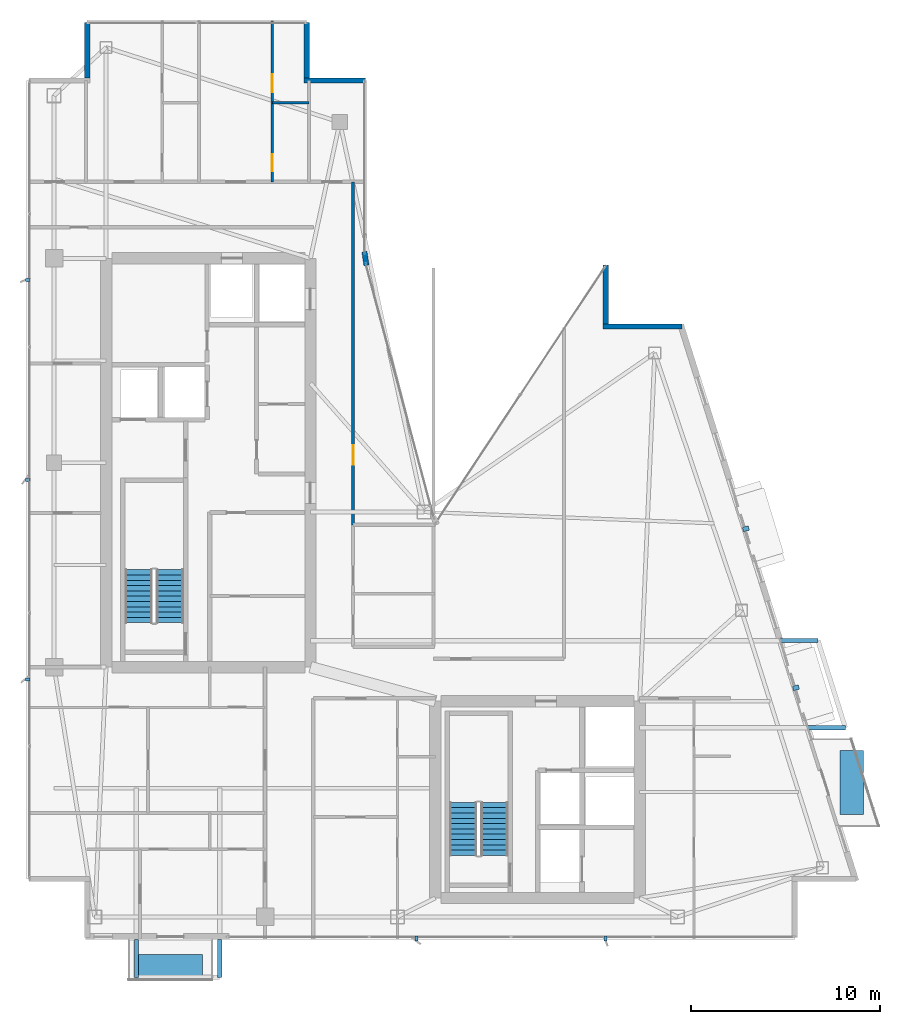
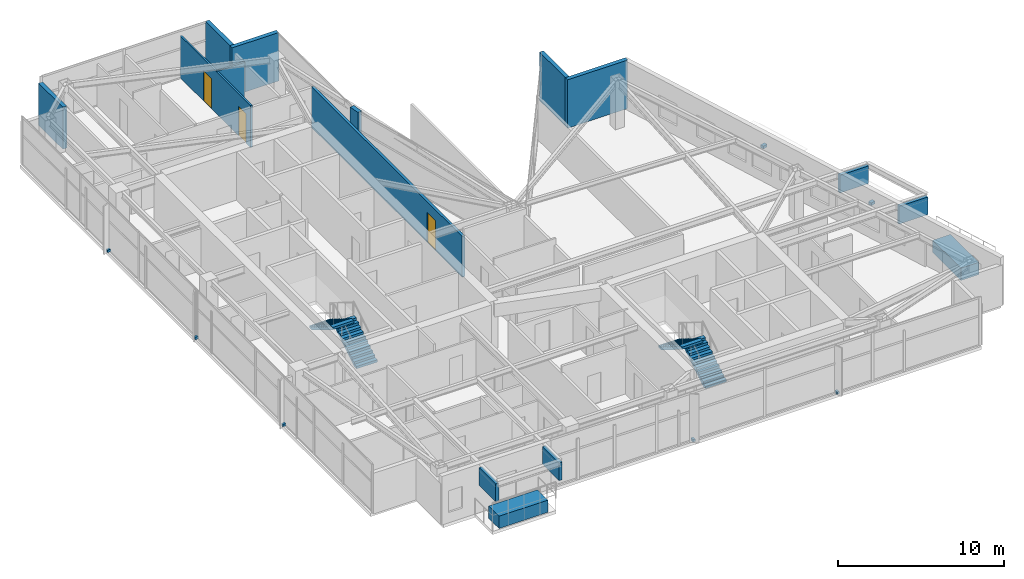
# One storey, part 26 of 28: 13 discrete accessories, 9 walls, 4 stair flights, 3 doors, 3 openings, 2 elements without a shape of their own.
"""IFC4 building model written with IfcOpenShell, lengths in metres."""

from ifc_helpers import new_model, si_unit, direction, frame, frame_2d, origin, origin_2d, place, context, subcontext, project, spatial, polyline, rectangle, outline, extrude, material, layer, layer_set, type_object, element, fill, aggregate, save


model = new_model("IFC4")

# Units and contexts
model_context = context("Model", 3, precision=1e-05, world=origin(), true_north=direction((0.0, 1.0)))
body_context = subcontext(model_context, "Body", "Model", "MODEL_VIEW")
ifc_project = project(units=[si_unit("LENGTHUNIT", "METRE"), si_unit("AREAUNIT", "SQUARE_METRE"), si_unit("VOLUMEUNIT", "CUBIC_METRE"), si_unit("PLANEANGLEUNIT", "RADIAN"), si_unit("MASSUNIT", "GRAM", prefix="KILO")], contexts=[model_context])

# Site, building, storey
site_placement = place(None, origin())
site = spatial("IfcSite", under=ifc_project, at=site_placement, CompositionType="ELEMENT")
building_placement = place(site_placement, origin())
building = spatial("IfcBuilding", under=site, at=building_placement, Name="Calvorn Quay Hotel", CompositionType="ELEMENT")
storey_placement = place(building_placement, frame((0.0, 0.0, 267.300048828125)))
storey = spatial("IfcBuildingStorey", under=building, at=storey_placement, Name="L66", CompositionType="ELEMENT", Elevation=267.300048828125)

# Wall, opening, door
ifc_material_1 = material(Name="Acoustic Fireboard Steel-Stud Partition", Category="steel")
ifc_layer_1 = layer(ifc_material_1, 0.179931640625)
ifc_layer_set_1 = layer_set([ifc_layer_1], Name="WL-CORR-FIRE-180")
wall_type_1 = type_object("IfcWallType", Name="WL-CORR-FIRE-180", PredefinedType="PARTITIONING", material=ifc_layer_set_1)
wall_1_placement = place(storey_placement, frame((17.25, 24.300048828125, 0.0), z_axis=(0.0, 0.0, 1.0), x_axis=(0.0, 1.0, 0.0)))
wall_1 = element("IfcWall", 1, at=wall_1_placement, inside=storey, type_object=wall_type_1, Name="Partition Wall L66-WL-NW-CLOSURE-E", PredefinedType="PARTITIONING", context=body_context, shape_type="SweptSolid", body=[
    extrude(rectangle(XDim=18.14990234375, YDim=0.179931640625, at=frame_2d((9.074951171875, 0.0))), origin(), (0.0, 0.0, 1.0), 2.989990234375),
])
opening_1_placement = place(wall_1_placement, frame((3.199951171875, 0.0, 0.0)))
opening_1 = element("IfcOpeningElement", 2, at=opening_1_placement, cuts=wall_1, Name="Opening D-L66-NCU", PredefinedType="OPENING", context=body_context, shape_type="SweptSolid", body=[
    extrude(rectangle(XDim=1.02001953125, YDim=2.199951171875, at=frame_2d((0.510009765625, 1.10009765625))), frame((0.0, 0.099853515625, 0.0), z_axis=(0.0, -1.0, 0.0), x_axis=(1.0, 0.0, 0.0)), (0.0, 0.0, 1.0), 0.199951171875),
])
ifc_material_2 = material(Name="Solid-Core Walnut Veneer Hotel Fire Door")
door_type_1 = type_object("IfcDoorType", Name="DR-GUEST-ENTRY-1020", OperationType="NOTDEFINED", PredefinedType="DOOR", material=ifc_material_2)
door_1_placement = place(opening_1_placement, origin())
door_1 = element("IfcDoor", 3, at=door_1_placement, inside=storey, type_object=door_type_1, Name="Inner Court Horizon Study Door (L66)", OperationType="SINGLE_SWING_RIGHT", OverallHeight=2.199951171875, OverallWidth=1.02001953125, PredefinedType="DOOR", context=body_context, shape_type="SweptSolid", body=[
    extrude(rectangle(XDim=1.02001953125, YDim=2.199951171875, at=frame_2d((0.510009765625, 1.10009765625))), frame((0.0, 0.02490234375, 0.0), z_axis=(0.0, -1.0, 0.0), x_axis=(1.0, 0.0, 0.0)), (0.0, 0.0, 1.0), 0.050048828125),
])
fill(opening_1, door_1)

# Wall
ifc_material_3 = material(Name="Moisture-Resistant Tile-Backed Partition")
ifc_layer_2 = layer(ifc_material_3, 0.125)
ifc_layer_set_2 = layer_set([ifc_layer_2], Name="WL-ENSUITE-125")
wall_type_2 = type_object("IfcWallType", Name="WL-ENSUITE-125", PredefinedType="PARTITIONING", material=ifc_layer_set_2)
wall_2_placement = place(storey_placement, frame((12.989990234375, 46.6201171875, 0.0), z_axis=(0.0, 0.0, 1.0), x_axis=(1.0, 0.0, 0.0)))
element("IfcWall", 4, at=wall_2_placement, inside=storey, type_object=wall_type_2, Name="Partition Wall L66-WL-U05-BDV", PredefinedType="PARTITIONING", context=body_context, shape_type="SweptSolid", body=[
    extrude(rectangle(XDim=1.929931640625, YDim=0.125, at=frame_2d((0.96484375, 0.0))), origin(), (0.0, 0.0, 1.0), 3.08984375),
])

# Wall, openings, doors
wall_3_placement = place(storey_placement, frame((12.989990234375, 42.449951171875, 0.0), z_axis=(0.0, 0.0, 1.0), x_axis=(0.0, 1.0, 0.0)))
wall_3 = element("IfcWall", 5, at=wall_3_placement, inside=storey, type_object=wall_type_2, Name="Partition Wall L66-WL-U05-BV", PredefinedType="PARTITIONING", context=body_context, shape_type="SweptSolid", body=[
    extrude(rectangle(XDim=8.489990234375, YDim=0.125, at=frame_2d((4.2451171875, 0.0))), origin(), (0.0, 0.0, 1.0), 3.08984375),
])
opening_2_placement = place(wall_3_placement, frame((0.550048828125, 0.0, 0.0)))
opening_2 = element("IfcOpeningElement", 6, at=opening_2_placement, cuts=wall_3, Name="Opening D-L66-E05", PredefinedType="OPENING", context=body_context, shape_type="SweptSolid", body=[
    extrude(rectangle(XDim=0.89990234375, YDim=2.14990234375, at=frame_2d((0.449951171875, 1.074951171875))), frame((0.0, 0.072509765625, 0.0), z_axis=(0.0, -1.0, 0.0), x_axis=(1.0, 0.0, 0.0)), (0.0, 0.0, 1.0), 0.14501953125),
])
opening_3_placement = place(wall_3_placement, frame((4.719970703125, 0.0, 0.0)))
opening_3 = element("IfcOpeningElement", 7, at=opening_3_placement, cuts=wall_3, Name="Opening D-L66-S05", PredefinedType="OPENING", context=body_context, shape_type="SweptSolid", body=[
    extrude(rectangle(XDim=0.9599609375, YDim=2.199951171875, at=frame_2d((0.47998046875, 1.10009765625))), frame((0.0, 0.072509765625, 0.0), z_axis=(0.0, -1.0, 0.0), x_axis=(1.0, 0.0, 0.0)), (0.0, 0.0, 1.0), 0.14501953125),
])
ifc_material_4 = material(Name="Moisture-Sealed Timber En-Suite Door", Category="wood")
door_type_2 = type_object("IfcDoorType", Name="DR-ENSUITE-900", OperationType="NOTDEFINED", PredefinedType="DOOR", material=ifc_material_4)
door_2_placement = place(opening_2_placement, origin())
door_2 = element("IfcDoor", 8, at=door_2_placement, inside=storey, type_object=door_type_2, Name="En-Suite Door 05", OperationType="SINGLE_SWING_LEFT", OverallHeight=2.14990234375, OverallWidth=0.89990234375, PredefinedType="DOOR", context=body_context, shape_type="SweptSolid", body=[
    extrude(rectangle(XDim=0.89990234375, YDim=2.14990234375, at=frame_2d((0.449951171875, 1.074951171875))), frame((0.0, 0.02490234375, 0.0), z_axis=(0.0, -1.0, 0.0), x_axis=(1.0, 0.0, 0.0)), (0.0, 0.0, 1.0), 0.050048828125),
])
fill(opening_2, door_2)
ifc_material_5 = material(Name="Solid Timber Internal Suite Door", Category="wood")
door_type_3 = type_object("IfcDoorType", Name="DR-SUITE-INT-960", OperationType="NOTDEFINED", PredefinedType="DOOR", material=ifc_material_5)
door_3_placement = place(opening_3_placement, origin())
door_3 = element("IfcDoor", 9, at=door_3_placement, inside=storey, type_object=door_type_3, Name="Harbour Dining Den Door 05", OperationType="SINGLE_SWING_RIGHT", OverallHeight=2.199951171875, OverallWidth=0.9599609375, PredefinedType="DOOR", context=body_context, shape_type="SweptSolid", body=[
    extrude(rectangle(XDim=0.9599609375, YDim=2.199951171875, at=frame_2d((0.47998046875, 1.10009765625))), frame((0.0, 0.02490234375, 0.0), z_axis=(0.0, -1.0, 0.0), x_axis=(1.0, 0.0, 0.0)), (0.0, 0.0, 1.0), 0.050048828125),
])
fill(opening_3, door_3)

# Walls
ifc_material_6 = material(Name="Concrete C40", Category="concrete")
ifc_layer_3 = layer(ifc_material_6, 0.320068359375)
ifc_layer_set_3 = layer_set([ifc_layer_3], Name="WL-EXT-SPANDREL-320")
wall_type_3 = type_object("IfcWallType", Name="WL-EXT-SPANDREL-320", PredefinedType="SOLIDWALL", material=ifc_layer_set_3)
wall_4_placement = place(storey_placement, frame((17.9619140625, 38.030029296875, 0.0), z_axis=(0.0, 0.0, 1.0), x_axis=(-0.15141125477, 0.988470855377, 0.0)))
element("IfcWall", 10, at=wall_4_placement, inside=storey, type_object=wall_type_3, Name="Inner Court Corner Pier L66-ICJ2", PredefinedType="SOLIDWALL", context=body_context, shape_type="SweptSolid", body=[
    extrude(rectangle(XDim=0.738525390625, YDim=0.280029296875, at=frame_2d((0.369140625, 0.0))), origin(), (0.0, 0.0, 1.0), 3.56005859375),
])
wall_5_placement = place(storey_placement, frame((34.639892578125, 34.800048828125, 0.0), z_axis=(0.0, 0.0, 1.0), x_axis=(-1.0, 0.0, 0.0)))
element("IfcWall", 11, at=wall_5_placement, inside=storey, type_object=wall_type_3, Name="Notched Corner Spandrel L66-NE1", PredefinedType="SOLIDWALL", context=body_context, shape_type="SweptSolid", body=[
    extrude(rectangle(XDim=4.179931640625, YDim=0.280029296875, at=frame_2d((2.08984375, 0.0))), origin(), (0.0, 0.0, 1.0), 3.56005859375),
])
wall_6_placement = place(storey_placement, frame((30.60009765625, 34.93994140625, 0.0), z_axis=(0.0, 0.0, 1.0), x_axis=(0.0, 1.0, 0.0)))
element("IfcWall", 12, at=wall_6_placement, inside=storey, type_object=wall_type_3, Name="Notched Corner Spandrel L66-NE2", PredefinedType="SOLIDWALL", context=body_context, shape_type="SweptSolid", body=[
    extrude(rectangle(XDim=3.10009765625, YDim=0.280029296875, at=frame_2d((1.550048828125, 0.0))), origin(), (0.0, 0.0, 1.0), 3.56005859375),
])
wall_7_placement = place(storey_placement, frame((17.89990234375, 47.800048828125, 0.0), z_axis=(0.0, 0.0, 1.0), x_axis=(-1.0, 0.0, 0.0)))
element("IfcWall", 13, at=wall_7_placement, inside=storey, type_object=wall_type_3, Name="Notched Corner Spandrel L66-NWE1", PredefinedType="SOLIDWALL", context=body_context, shape_type="SweptSolid", body=[
    extrude(rectangle(XDim=3.239990234375, YDim=0.280029296875, at=frame_2d((1.6201171875, 0.0))), origin(), (0.0, 0.0, 1.0), 3.56005859375),
])
wall_8_placement = place(storey_placement, frame((14.800048828125, 47.93994140625, 0.0), z_axis=(0.0, 0.0, 1.0), x_axis=(0.0, 1.0, 0.0)))
element("IfcWall", 14, at=wall_8_placement, inside=storey, type_object=wall_type_3, Name="Notched Corner Spandrel L66-NWE2", PredefinedType="SOLIDWALL", context=body_context, shape_type="SweptSolid", body=[
    extrude(rectangle(XDim=2.93994140625, YDim=0.280029296875, at=frame_2d((1.469970703125, 0.0))), origin(), (0.0, 0.0, 1.0), 3.56005859375),
])
wall_9_placement = place(storey_placement, frame((3.199951171875, 50.8798828125, 0.0), z_axis=(0.0, 0.0, 1.0), x_axis=(0.0, -1.0, 0.0)))
element("IfcWall", 15, at=wall_9_placement, inside=storey, type_object=wall_type_3, Name="Notched Corner Spandrel L66-NW1", PredefinedType="SOLIDWALL", context=body_context, shape_type="SweptSolid", body=[
    extrude(rectangle(XDim=2.93994140625, YDim=0.280029296875, at=frame_2d((1.469970703125, 0.0))), origin(), (0.0, 0.0, 1.0), 3.08984375),
])

# Stair, stair flights
ifc_material_7 = material(Name="Concrete C40", Category="concrete")
stair_type = type_object("IfcStairType", Name="STR-CORE-DOGLEG", PredefinedType="HALF_TURN_STAIR", material=ifc_material_7)
stair_1_placement = place(storey_placement, origin())
stair_1 = element("IfcStair", 16, at=stair_1_placement, inside=storey, type_object=stair_type, Name="L66 ST-W", PredefinedType="HALF_TURN_STAIR")
ifc_material_8 = material(Name="Concrete C40", Category="concrete")
stair_flight_type = type_object("IfcStairFlightType", Name="FLT-CORE-1550", PredefinedType="STRAIGHT", material=ifc_material_8)
stair_flight_1_placement = place(storey_placement, frame((7.574951171875, 19.14990234375, 0.0), z_axis=(0.0, 0.0, 1.0), x_axis=(0.0, 1.0, 0.0)))
stair_flight_1 = element("IfcStairFlight", 17, at=stair_flight_1_placement, type_object=stair_flight_type, Name="ST-W flight 1", NumberOfRisers=11, NumberOfTreads=10, PredefinedType="STRAIGHT", RiserHeight=0.172727273, TreadLength=0.28, context=body_context, shape_type="SweptSolid", body=[
    extrude(outline(polyline([(0.0, 0.0), (0.0, 0.172607421875), (0.280029296875, 0.172607421875), (0.280029296875, 0.345458984375), (0.56005859375, 0.345458984375), (0.56005859375, 0.51806640625), (0.840087890625, 0.51806640625), (0.840087890625, 0.69091796875), (1.1201171875, 0.69091796875), (1.1201171875, 0.863525390625), (1.39990234375, 0.863525390625), (1.39990234375, 1.036376953125), (1.679931640625, 1.036376953125), (1.679931640625, 1.208984375), (1.9599609375, 1.208984375), (1.9599609375, 1.3818359375), (2.239990234375, 1.3818359375), (2.239990234375, 1.554443359375), (2.52001953125, 1.554443359375), (2.52001953125, 1.727294921875), (2.800048828125, 1.727294921875), (2.800048828125, 1.89990234375), (2.800048828125, 1.551025390625), (0.285400390625, 0.0), (0.0, 0.0)])), frame((0.0, 0.72509765625, 0.0), z_axis=(0.0, -1.0, 0.0), x_axis=(1.0, 0.0, 0.0)), (0.0, 0.0, 1.0), 1.449951171875),
])
stair_flight_2_placement = place(storey_placement, frame((5.925048828125, 21.949951171875, 1.89990234375), z_axis=(0.0, 0.0, 1.0), x_axis=(0.0, -1.0, 0.0)))
stair_flight_2 = element("IfcStairFlight", 18, at=stair_flight_2_placement, type_object=stair_flight_type, Name="ST-W flight 2", NumberOfRisers=11, NumberOfTreads=10, PredefinedType="STRAIGHT", RiserHeight=0.172727273, TreadLength=0.28, context=body_context, shape_type="SweptSolid", body=[
    extrude(outline(polyline([(0.0, 0.0), (0.0, 0.172607421875), (0.280029296875, 0.172607421875), (0.280029296875, 0.345458984375), (0.56005859375, 0.345458984375), (0.56005859375, 0.51806640625), (0.840087890625, 0.51806640625), (0.840087890625, 0.69091796875), (1.1201171875, 0.69091796875), (1.1201171875, 0.863525390625), (1.39990234375, 0.863525390625), (1.39990234375, 1.036376953125), (1.679931640625, 1.036376953125), (1.679931640625, 1.208984375), (1.9599609375, 1.208984375), (1.9599609375, 1.3818359375), (2.239990234375, 1.3818359375), (2.239990234375, 1.554443359375), (2.52001953125, 1.554443359375), (2.52001953125, 1.727294921875), (2.800048828125, 1.727294921875), (2.800048828125, 1.89990234375), (2.800048828125, 1.551025390625), (0.285400390625, 0.0), (0.0, 0.0)])), frame((0.0, 0.72509765625, 0.0), z_axis=(0.0, -1.0, 0.0), x_axis=(1.0, 0.0, 0.0)), (0.0, 0.0, 1.0), 1.449951171875),
])
aggregate(stair_1, [stair_flight_1, stair_flight_2])

stair_2_placement = place(storey_placement, origin())
stair_2 = element("IfcStair", 19, at=stair_2_placement, inside=storey, type_object=stair_type, Name="L66 ST-E", PredefinedType="HALF_TURN_STAIR")
stair_flight_3_placement = place(storey_placement, frame((24.72509765625, 6.85009765625, 0.0), z_axis=(0.0, 0.0, 1.0), x_axis=(0.0, 1.0, 0.0)))
stair_flight_3 = element("IfcStairFlight", 20, at=stair_flight_3_placement, type_object=stair_flight_type, Name="ST-E flight 1", NumberOfRisers=11, NumberOfTreads=10, PredefinedType="STRAIGHT", RiserHeight=0.172727273, TreadLength=0.28, context=body_context, shape_type="SweptSolid", body=[
    extrude(outline(polyline([(0.0, 0.0), (0.0, 0.172607421875), (0.280029296875, 0.172607421875), (0.280029296875, 0.345458984375), (0.56005859375, 0.345458984375), (0.56005859375, 0.51806640625), (0.840087890625, 0.51806640625), (0.840087890625, 0.69091796875), (1.1201171875, 0.69091796875), (1.1201171875, 0.863525390625), (1.39990234375, 0.863525390625), (1.39990234375, 1.036376953125), (1.679931640625, 1.036376953125), (1.679931640625, 1.208984375), (1.9599609375, 1.208984375), (1.9599609375, 1.3818359375), (2.239990234375, 1.3818359375), (2.239990234375, 1.554443359375), (2.52001953125, 1.554443359375), (2.52001953125, 1.727294921875), (2.800048828125, 1.727294921875), (2.800048828125, 1.89990234375), (2.800048828125, 1.551025390625), (0.285400390625, 0.0), (0.0, 0.0)])), frame((0.0, 0.72509765625, 0.0), z_axis=(0.0, -1.0, 0.0), x_axis=(1.0, 0.0, 0.0)), (0.0, 0.0, 1.0), 1.449951171875),
])
stair_flight_4_placement = place(storey_placement, frame((23.074951171875, 9.64990234375, 1.89990234375), z_axis=(0.0, 0.0, 1.0), x_axis=(0.0, -1.0, 0.0)))
stair_flight_4 = element("IfcStairFlight", 21, at=stair_flight_4_placement, type_object=stair_flight_type, Name="ST-E flight 2", NumberOfRisers=11, NumberOfTreads=10, PredefinedType="STRAIGHT", RiserHeight=0.172727273, TreadLength=0.28, context=body_context, shape_type="SweptSolid", body=[
    extrude(outline(polyline([(0.0, 0.0), (0.0, 0.172607421875), (0.280029296875, 0.172607421875), (0.280029296875, 0.345458984375), (0.56005859375, 0.345458984375), (0.56005859375, 0.51806640625), (0.840087890625, 0.51806640625), (0.840087890625, 0.69091796875), (1.1201171875, 0.69091796875), (1.1201171875, 0.863525390625), (1.39990234375, 0.863525390625), (1.39990234375, 1.036376953125), (1.679931640625, 1.036376953125), (1.679931640625, 1.208984375), (1.9599609375, 1.208984375), (1.9599609375, 1.3818359375), (2.239990234375, 1.3818359375), (2.239990234375, 1.554443359375), (2.52001953125, 1.554443359375), (2.52001953125, 1.727294921875), (2.800048828125, 1.727294921875), (2.800048828125, 1.89990234375), (2.800048828125, 1.551025390625), (0.285400390625, 0.0), (0.0, 0.0)])), frame((0.0, 0.72509765625, 0.0), z_axis=(0.0, -1.0, 0.0), x_axis=(1.0, 0.0, 0.0)), (0.0, 0.0, 1.0), 1.449951171875),
])
aggregate(stair_2, [stair_flight_3, stair_flight_4])

# Discrete accessories
ifc_material_9 = material(Name="Steel Q355B", Category="steel")
discrete_accessory_type_1 = type_object("IfcDiscreteAccessoryType", Name="ACC-BALC-STRUT", PredefinedType="BRACKET", material=ifc_material_9)
for number, where, z_axis, x_axis, name in (
    (22, (42.27392578125, 13.60009765625, 2.01513671875), (0.0, 0.0, 1.0), (1.0, 0.0, 0.0), "Exterior Balcony Steel Bracket L67-BALC-E-A"),
    (23, (40.824951171875, 18.199951171875, 2.01513671875), (0.0, 0.0, 1.0), (1.0, 0.0, 0.0), "Exterior Balcony Steel Bracket L67-BALC-E-B"),
):
    element("IfcDiscreteAccessory", number, at=place(storey_placement, frame(where, z_axis=z_axis, x_axis=x_axis)), inside=storey, type_object=discrete_accessory_type_1, Name=name, PredefinedType="BRACKET", context=body_context, shape_type="SweptSolid", body=[
        extrude(rectangle(XDim=1.989990234375, YDim=0.219970703125, at=origin_2d()), origin(), (0.0, 0.0, 1.0), 1.300048828125),
    ])
for number, where, z_axis, x_axis, name in (
    (24, (5.800048828125, 1.405029296875, 2.01513671875), (0.0, 0.0, 1.0), (1.0, 0.0, 0.0), "Exterior Balcony Steel Bracket L67-BALC-S-A"),
    (25, (10.199951171875, 1.405029296875, 2.01513671875), (0.0, 0.0, 1.0), (1.0, 0.0, 0.0), "Exterior Balcony Steel Bracket L67-BALC-S-B"),
):
    element("IfcDiscreteAccessory", number, at=place(storey_placement, frame(where, z_axis=z_axis, x_axis=x_axis)), inside=storey, type_object=discrete_accessory_type_1, Name=name, PredefinedType="BRACKET", context=body_context, shape_type="SweptSolid", body=[
        extrude(rectangle(XDim=0.219970703125, YDim=1.989990234375, at=origin_2d()), origin(), (0.0, 0.0, 1.0), 1.300048828125),
    ])
ifc_material_10 = material(Name="Steel Q355B", Category="steel")
discrete_accessory_type_2 = type_object("IfcDiscreteAccessoryType", Name="ACC-FIN-BRACKET", PredefinedType="BRACKET", material=ifc_material_10)
for number, where, z_axis, x_axis, name in (
    (26, (0.06005859375, 16.14990234375, 0.02978515625), (0.0, 0.0, 1.0), (1.0, 0.0, 0.0), "Fin Anchor Bracket L66-W01"),
    (27, (0.06005859375, 26.699951171875, 0.02978515625), (0.0, 0.0, 1.0), (1.0, 0.0, 0.0), "Fin Anchor Bracket L66-W02"),
    (28, (0.06005859375, 37.25, 0.02978515625), (0.0, 0.0, 1.0), (1.0, 0.0, 0.0), "Fin Anchor Bracket L66-W03"),
    (29, (20.60009765625, 2.4599609375, 0.02978515625), (0.0, 0.0, 1.0), (0.0, 1.0, 0.0), "Fin Anchor Bracket L66-S01"),
    (30, (30.60009765625, 2.4599609375, 0.02978515625), (0.0, 0.0, 1.0), (0.0, 1.0, 0.0), "Fin Anchor Bracket L66-S02"),
):
    element("IfcDiscreteAccessory", number, at=place(storey_placement, frame(where, z_axis=z_axis, x_axis=x_axis)), inside=storey, type_object=discrete_accessory_type_2, Name=name, PredefinedType="BRACKET", context=body_context, shape_type="SweptSolid", body=[
        extrude(rectangle(XDim=0.239990234375, YDim=0.159912109375, at=origin_2d()), origin(), (0.0, 0.0, 1.0), 0.179931640625),
    ])
for number, where, z_axis, x_axis, name in (
    (31, (40.656005859375, 15.7119140625, 2.3701171875), (0.0, 0.0, 1.0), (0.957319497532, 0.289031796944, 0.0), "Bay Hood Support Bracket L66-HOOD-2"),
    (32, (38.010009765625, 24.112060546875, 2.3701171875), (0.0, 0.0, 1.0), (0.957319497532, 0.289031796944, 0.0), "Bay Hood Support Bracket L66-HOOD-3"),
):
    element("IfcDiscreteAccessory", number, at=place(storey_placement, frame(where, z_axis=z_axis, x_axis=x_axis)), inside=storey, type_object=discrete_accessory_type_2, Name=name, PredefinedType="BRACKET", context=body_context, shape_type="SweptSolid", body=[
        extrude(rectangle(XDim=0.320068359375, YDim=0.239990234375, at=origin_2d()), origin(), (0.0, 0.0, 1.0), 0.199951171875),
    ])
ifc_material_11 = material(Name="Precast concrete C40", Category="concrete")
discrete_accessory_type_3 = type_object("IfcDiscreteAccessoryType", Name="ACC-TREE-PLANTER", PredefinedType="USERDEFINED", material=ifc_material_11)
discrete_accessory_1_placement = place(storey_placement, frame((43.60302734375, 10.699951171875, 0.0), z_axis=(0.0, 0.0, 1.0), x_axis=(1.0, 0.0, 0.0)))
element("IfcDiscreteAccessory", 33, at=discrete_accessory_1_placement, inside=storey, type_object=discrete_accessory_type_3, Name="Subtropical Tree Structural Planter L66-BALC-E", ObjectType="PLANTER", PredefinedType="USERDEFINED", context=body_context, shape_type="SweptSolid", body=[
    extrude(rectangle(XDim=1.25, YDim=3.39990234375, at=origin_2d()), origin(), (0.0, 0.0, 1.0), 0.89990234375),
])
discrete_accessory_2_placement = place(storey_placement, frame((7.60009765625, 0.989990234375, 0.0), z_axis=(0.0, 0.0, 1.0), x_axis=(1.0, 0.0, 0.0)))
element("IfcDiscreteAccessory", 34, at=discrete_accessory_2_placement, inside=storey, type_object=discrete_accessory_type_3, Name="Subtropical Tree Structural Planter L66-BALC-S", ObjectType="PLANTER", PredefinedType="USERDEFINED", context=body_context, shape_type="SweptSolid", body=[
    extrude(rectangle(XDim=3.39990234375, YDim=1.25, at=origin_2d()), origin(), (0.0, 0.0, 1.0), 0.89990234375),
])

save(model, "model.ifc")
